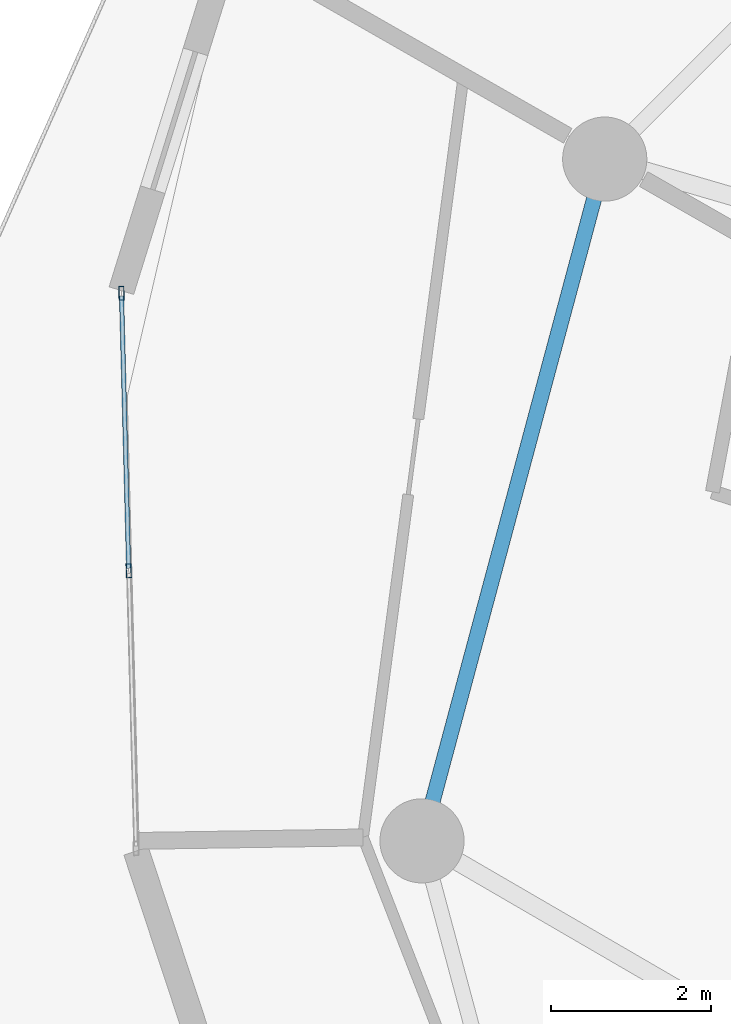
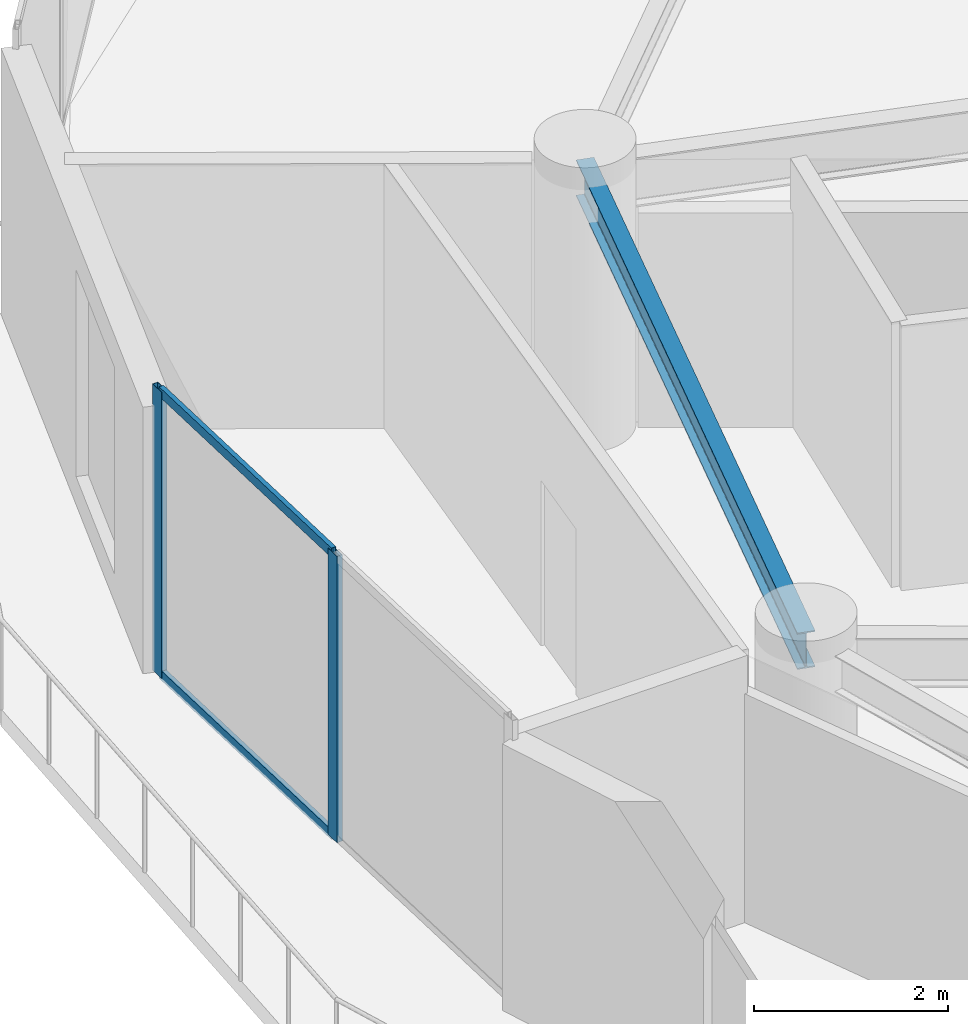
# One storey, part 6 of 20: 4 members, 1 beam, 1 element without a shape of its own.
"""IFC4 building model written with IfcOpenShell, lengths in metres."""

from ifc_helpers import new_model, si_unit, direction, frame, origin, origin_2d, place, context, subcontext, project, spatial, hollow_rectangle, i_section, extrude, source, transform, mapped, material, layer, layer_set, material_profile, profile_set, type_object, element, aggregate, save


model = new_model("IFC4")

# Units and contexts
model_context = context("Model", 3, precision=1e-05, world=origin(), true_north=direction((0.0, 1.0)))
body_context = subcontext(model_context, "Body", "Model", "MODEL_VIEW")
ifc_project = project(units=[si_unit("LENGTHUNIT", "METRE"), si_unit("AREAUNIT", "SQUARE_METRE"), si_unit("VOLUMEUNIT", "CUBIC_METRE"), si_unit("PLANEANGLEUNIT", "RADIAN"), si_unit("MASSUNIT", "GRAM", prefix="KILO")], contexts=[model_context])

# Site, building, storey
site_placement = place(None, origin())
site = spatial("IfcSite", under=ifc_project, at=site_placement, CompositionType="ELEMENT")
building_placement = place(site_placement, origin())
building = spatial("IfcBuilding", under=site, at=building_placement, Name="Solvirekh Grand Hotel", CompositionType="ELEMENT")
storey_placement = place(building_placement, frame((0.0, 0.0, 156.60009765625)))
storey = spatial("IfcBuildingStorey", under=building, at=storey_placement, Name="L40", CompositionType="ELEMENT", Elevation=156.60009765625)

# Beam
ifc_material_1 = material(Name="Steel S355", Category="steel")
ifc_material_profile_1 = material_profile(ifc_material_1, i_section(OverallWidth=0.18994140625, OverallDepth=0.45703125, WebThickness=0.009033203125, FlangeThickness=0.013916015625, FilletRadius=0.012939453125, at=origin_2d()), Name="W460X74")
ifc_profile_set_1 = profile_set([ifc_material_profile_1], Name="Steel S355")
beam_type = type_object("IfcBeamType", Name="Spandrel_Ring_W460", PredefinedType="SPANDREL", material=ifc_profile_set_1)
beam_placement = place(storey_placement, frame((-14.721923828125, 8.5, 3.120849609375), z_axis=(-0.258872908946, -0.965911391906, 0.0), x_axis=(0.965911391906, -0.258872908946, 0.0)))
element("IfcBeam", 1, at=beam_placement, inside=storey, type_object=beam_type, Name="L40 perimeter spandrel beam 6", PredefinedType="SPANDREL", context=body_context, shape_type="SweptSolid", body=[
    extrude(i_section(OverallWidth=0.18994140625, OverallDepth=0.45703125, WebThickness=0.009033203125, FlangeThickness=0.013916015625, FilletRadius=0.012939453125, at=origin_2d()), origin(), (0.0, 0.0, 1.0), 8.800048828125),
])

# Curtain wall, members
ifc_material_2 = material(Name="Anodized Bronze Aluminium 6063-T6", Category="aluminium")
ifc_layer = layer(ifc_material_2, 0.175048828125)
ifc_layer_set = layer_set([ifc_layer], Name="Anodized Bronze Aluminium 6063-T6")
curtain_wall_type = type_object("IfcCurtainWallType", Name="CW_Sys3_MidZoneFlushBronzeCW", PredefinedType="NOTDEFINED", material=ifc_layer_set)
curtain_wall_placement = place(storey_placement, origin())
curtain_wall = element("IfcCurtainWall", 2, at=curtain_wall_placement, inside=storey, type_object=curtain_wall_type, Name="L40 unitised bronze-glass curtain wall CW-L40-C13", PredefinedType="NOTDEFINED")
ifc_material_profile_2 = material_profile(ifc_material_2, hollow_rectangle(XDim=0.06494140625, YDim=0.175048828125, WallThickness=0.0048828125, at=origin_2d()), Name="ALU RHS 175X65X5")
ifc_profile_set_2 = profile_set([ifc_material_profile_2], Name="Anodized Bronze Aluminium 6063-T6")
member_type_1 = type_object("IfcMemberType", Name="CWMullion_Sys3", PredefinedType="MULLION", material=ifc_profile_set_2)
shared_shape_1 = source(origin(), body_context, "Body", "SweptSolid", [
    extrude(hollow_rectangle(XDim=0.06494140625, YDim=0.175048828125, WallThickness=0.0048828125, at=origin_2d()), origin(), (0.0, 0.0, 1.0), 3.599853515625),
])
member_1_placement = place(storey_placement, frame((-20.7470703125, 6.827392578125, 0.0), z_axis=(0.0, 0.0, 1.0), x_axis=(0.999657179073, 0.026182519496, 0.0)))
member_1 = element("IfcMember", 3, at=member_1_placement, type_object=member_type_1, Name="U03 mullion 1", PredefinedType="MULLION", context=body_context, shape_type="MappedRepresentation", body=[
    mapped(shared_shape_1, transform((0.0, 0.0, 0.0), x_axis=(1.0, 0.0, 0.0), y_axis=(0.0, 1.0, 0.0), z_axis=(0.0, 0.0, 1.0), scale=1.0)),
])
member_2_placement = place(storey_placement, frame((-20.656494140625, 3.366455078125, 0.0), z_axis=(0.0, 0.0, 1.0), x_axis=(0.999657179073, 0.026182519496, 0.0)))
member_2 = element("IfcMember", 4, at=member_2_placement, type_object=member_type_1, Name="U03 mullion 2", PredefinedType="MULLION", context=body_context, shape_type="MappedRepresentation", body=[
    mapped(shared_shape_1, transform((0.0, 0.0, 0.0), x_axis=(1.0, 0.0, 0.0), y_axis=(0.0, 1.0, 0.0), z_axis=(0.0, 0.0, 1.0), scale=1.0)),
])
ifc_material_profile_3 = material_profile(ifc_material_2, hollow_rectangle(XDim=0.054931640625, YDim=0.1201171875, WallThickness=0.00390625, at=origin_2d()), Name="ALU RHS 120X55X4")
ifc_profile_set_3 = profile_set([ifc_material_profile_3], Name="Anodized Bronze Aluminium 6063-T6")
member_type_2 = type_object("IfcMemberType", Name="CWTransom_Sys3", PredefinedType="USERDEFINED", material=ifc_profile_set_3)
shared_shape_2 = source(origin(), body_context, "Body", "SweptSolid", [
    extrude(hollow_rectangle(XDim=0.054931640625, YDim=0.1201171875, WallThickness=0.00390625, at=origin_2d()), origin(), (0.0, 0.0, 1.0), 3.397216796875),
])
member_3_placement = place(storey_placement, frame((-20.746337890625, 6.794921875, 0.02734375), z_axis=(0.026159269212, -0.999657787763, 0.0), x_axis=(0.999657787763, 0.026159269212, 0.0)))
member_3 = element("IfcMember", 5, at=member_3_placement, type_object=member_type_2, Name="U03 transom 1.1", ObjectType="TRANSOM", PredefinedType="USERDEFINED", context=body_context, shape_type="MappedRepresentation", body=[
    mapped(shared_shape_2, transform((0.0, 0.0, 0.0), x_axis=(1.0, 0.0, 0.0), y_axis=(0.0, 1.0, 0.0), z_axis=(0.0, 0.0, 1.0), scale=1.0)),
])
member_4_placement = place(storey_placement, frame((-20.746337890625, 6.794921875, 3.572509765625), z_axis=(0.026159269212, -0.999657787763, 0.0), x_axis=(0.999657787763, 0.026159269212, 0.0)))
member_4 = element("IfcMember", 6, at=member_4_placement, type_object=member_type_2, Name="U03 transom 1.2", ObjectType="TRANSOM", PredefinedType="USERDEFINED", context=body_context, shape_type="MappedRepresentation", body=[
    mapped(shared_shape_2, transform((0.0, 0.0, 0.0), x_axis=(1.0, 0.0, 0.0), y_axis=(0.0, 1.0, 0.0), z_axis=(0.0, 0.0, 1.0), scale=1.0)),
])
aggregate(curtain_wall, [member_1, member_2, member_3, member_4])

save(model, "model.ifc")
